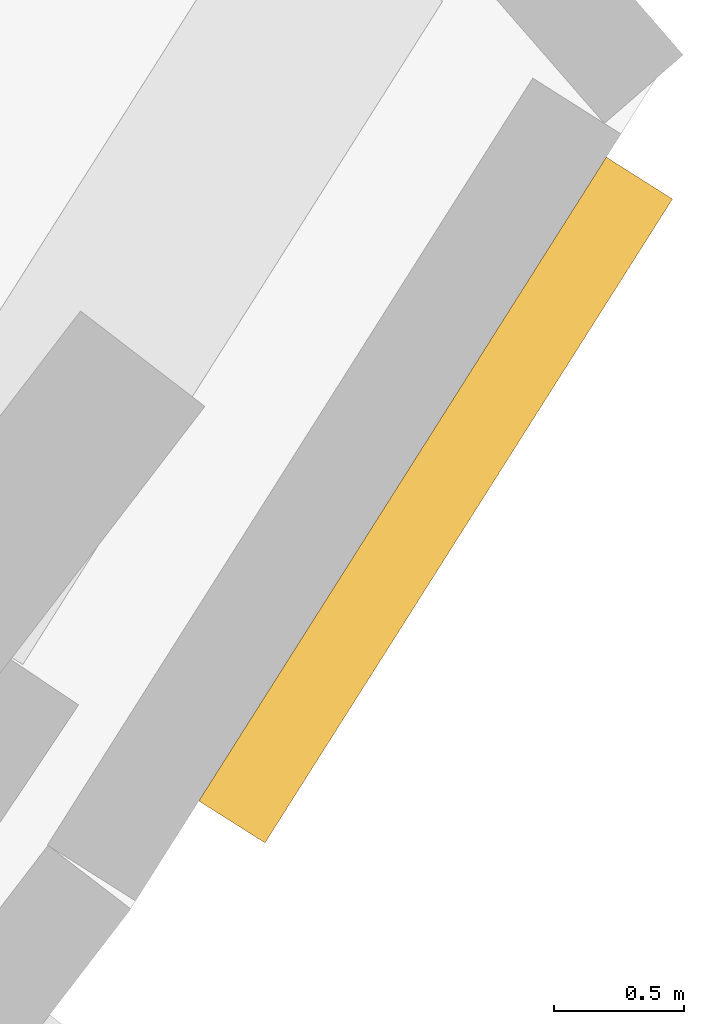
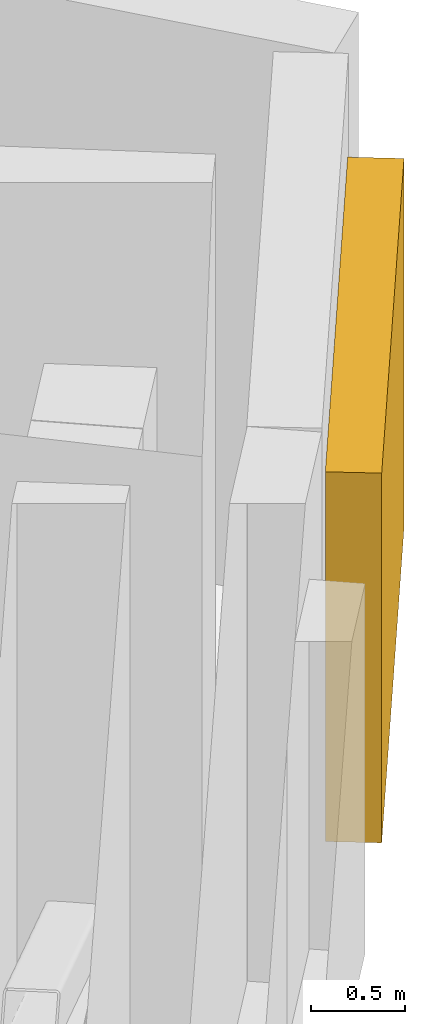
# One storey, part 24 of 24: 1 shading device.
"""IFC4 building model written with IfcOpenShell, lengths in metres."""

import ifcopenshell
import ifcopenshell.guid

model = None  # the IFC model being written
_history = None  # IfcOwnerHistory: only IFC2X3 demands one
_inside = {}  # id of a spatial element -> (the spatial element, [elements in it])
_under = {}  # id of a project, library or spatial element -> (it, [spatial elements below it])
_declared = {}  # id of a project -> (the project, [libraries it declares])
_typed = {}  # id of a type object -> (the type object, [elements of that type])
_made_of = {}  # id of a material, layer set ... -> (it, [elements and type objects made of it])


def new_model(schema):
    """Start an empty IFC model of exactly this schema.

    Asked for "IFC4X3", IfcOpenShell would pick the latest addendum, in which some entities
    have other attributes; the version numbers below select the first issue.
    IFC2X3 requires an IfcOwnerHistory on every rooted entity: one is made here for all.
    """
    global model, _history
    if schema == "IFC4X3":
        model = ifcopenshell.file(schema_version=(4, 3, 0, 0))
    else:
        model = ifcopenshell.file(schema=schema)
    _inside.clear()
    _under.clear()
    _declared.clear()
    _typed.clear()
    _made_of.clear()
    _history = None
    if model.schema == "IFC2X3":
        org = make("IfcOrganization", Name="unknown")
        user = make(
            "IfcPersonAndOrganization",
            ThePerson=make("IfcPerson", FamilyName="unknown"),
            TheOrganization=org,
        )
        app = make(
            "IfcApplication",
            ApplicationDeveloper=org,
            Version="unknown",
            ApplicationFullName="unknown",
            ApplicationIdentifier="unknown",
        )
        _history = make(
            "IfcOwnerHistory",
            OwningUser=user,
            OwningApplication=app,
            ChangeAction="ADDED",
            CreationDate=0,
        )
    return model


def make(cls, **values):
    """One entity of the class cls with the attributes given. An attribute that is None is left unset."""
    return model.create_entity(
        cls, **{name: value for name, value in values.items() if value is not None}
    )


def rooted(cls, **values):
    """An entity with a GlobalId (a new one), such as an element, a storey or a relation."""
    return make(cls, GlobalId=ifcopenshell.guid.new(), OwnerHistory=_history, **values)


def si_unit(unit_type, name, prefix=None):
    """IfcSIUnit, for example si_unit("LENGTHUNIT", "METRE", prefix="MILLI")."""
    return make("IfcSIUnit", UnitType=unit_type, Prefix=prefix, Name=name)


def assignment(units):
    """IfcUnitAssignment: the units of a project."""
    return None if units is None else make("IfcUnitAssignment", Units=units)


def point(xyz):
    """IfcCartesianPoint."""
    return None if xyz is None else make("IfcCartesianPoint", Coordinates=xyz)


def direction(xyz):
    """IfcDirection."""
    return None if xyz is None else make("IfcDirection", DirectionRatios=xyz)


def frame(location, z_axis=None, x_axis=None):
    """IfcAxis2Placement3D, a coordinate frame: its origin and axes. An axis left out is left unset."""
    return make(
        "IfcAxis2Placement3D",
        Location=point(location),
        Axis=direction(z_axis),
        RefDirection=direction(x_axis),
    )


def frame_2d(location, x_axis=None):
    """IfcAxis2Placement2D, a coordinate frame in the plane: its origin and x axis."""
    return make(
        "IfcAxis2Placement2D", Location=point(location), RefDirection=direction(x_axis)
    )


def origin():
    """The frame at (0, 0, 0) with its axes left unset."""
    return frame((0.0, 0.0, 0.0))


def origin_2d():
    """The frame at (0, 0) in the plane with its x axis left unset."""
    return frame_2d((0.0, 0.0))


def place(relative_to, where):
    """IfcLocalPlacement: puts the frame where relative to a parent placement (None: the world)."""
    return make(
        "IfcLocalPlacement", PlacementRelTo=relative_to, RelativePlacement=where
    )


def context(
    kind, dimensions, precision=None, world=None, true_north=None, identifier=None
):
    """IfcGeometricRepresentationContext, for example the 3D "Model" context."""
    return make(
        "IfcGeometricRepresentationContext",
        ContextIdentifier=identifier,
        ContextType=kind,
        CoordinateSpaceDimension=dimensions,
        Precision=precision,
        WorldCoordinateSystem=world,
        TrueNorth=true_north,
    )


def subcontext(parent, identifier, kind, view, scale=None):
    """IfcGeometricRepresentationSubContext, for example "Body" below "Model"."""
    return make(
        "IfcGeometricRepresentationSubContext",
        ContextIdentifier=identifier,
        ContextType=kind,
        ParentContext=parent,
        TargetScale=scale,
        TargetView=view,
    )


def project(units=None, contexts=None):
    """IfcProject with its units and contexts."""
    return rooted(
        "IfcProject",
        Name="project",
        RepresentationContexts=contexts,
        UnitsInContext=assignment(units),
    )


def spatial(cls, under=None, at=None, **own):
    """A site, building, storey or space (cls), placed at a placement, below another one or the project."""
    s = rooted(cls, ObjectPlacement=at, **own)
    if under is not None:
        _under.setdefault(under.id(), (under, []))[1].append(s)
    return s


def profile(cls, at=None, kind="AREA", **sizes):
    """A parametric profile (cls). Its sizes go by their IFC names, for example OverallWidth=200.0."""
    return make(cls, ProfileType=kind, Position=at, **sizes)


def rectangle(**sizes):
    """IfcRectangleProfileDef."""
    return profile("IfcRectangleProfileDef", **sizes)


def extrude(swept, where, along, depth):
    """IfcExtrudedAreaSolid: the profile swept, set in the frame where, extruded along a direction by depth."""
    return make(
        "IfcExtrudedAreaSolid",
        SweptArea=swept,
        Position=where,
        ExtrudedDirection=direction(along),
        Depth=depth,
    )


def shape(context_of_items, identifier, shape_type, items):
    """IfcShapeRepresentation: the items that make up one representation, for example the "Body"."""
    return make(
        "IfcShapeRepresentation",
        ContextOfItems=context_of_items,
        RepresentationIdentifier=identifier,
        RepresentationType=shape_type,
        Items=items,
    )


def material(Name=None, Category=None):
    """IfcMaterial."""
    return make("IfcMaterial", Name=Name, Category=Category)


def made_of(thing, what):
    """Note that an element or type object is made of a material, layer set ...; save() writes the relation."""
    if what is not None:
        _made_of.setdefault(what.id(), (what, []))[1].append(thing)
    return thing


def type_object(cls, material=None, **own):
    """A type object (cls), such as IfcWallType, which elements share."""
    return made_of(rooted(cls, **own), material)


def element(
    cls,
    number,
    at=None,
    inside=None,
    cuts=None,
    type_object=None,
    material=None,
    context=None,
    identifier="Body",
    shape_type=None,
    held_by="IfcProductDefinitionShape",
    body=None,
    shapes=None,
    **own,
):
    """One element of the class cls, such as IfcWall. Its Tag is "e" and its number.

    at: its placement. inside: the storey or other place that contains it. cuts: it is an
    opening in that element (IfcRelVoidsElement). A single representation is given by context,
    identifier, shape_type and body (its items); several are given by shapes. held_by: the class
    of the entity that holds the representations. save() writes the other relations.
    """
    e = rooted(cls, Tag="e%d" % number, ObjectPlacement=at, **own)
    if body is not None:
        shapes = [shape(context, identifier, shape_type, body)]
    if shapes is not None:
        e.Representation = make(held_by, Representations=shapes)
    if inside is not None:
        _inside.setdefault(inside.id(), (inside, []))[1].append(e)
    if cuts is not None:
        rooted(
            "IfcRelVoidsElement", RelatingBuildingElement=cuts, RelatedOpeningElement=e
        )
    if type_object is not None:
        _typed.setdefault(type_object.id(), (type_object, []))[1].append(e)
    return made_of(e, material)


def aggregate(whole, parts):
    """IfcRelAggregates: a whole, such as a stair, and the parts it consists of."""
    return rooted("IfcRelAggregates", RelatingObject=whole, RelatedObjects=parts)


def save(model, path):
    """Write the relations noted so far, then the file.

    IfcRelAggregates (storeys below a building ...), IfcRelContainedInSpatialStructure (elements
    in a storey), IfcRelDefinesByType, IfcRelAssociatesMaterial and IfcRelDeclares: one each for
    every whole, place, type object, material and project.
    """
    for whole, parts in _under.values():
        aggregate(whole, parts)
    for where, things in _inside.values():
        rooted(
            "IfcRelContainedInSpatialStructure",
            RelatedElements=things,
            RelatingStructure=where,
        )
    for kind, things in _typed.values():
        rooted("IfcRelDefinesByType", RelatedObjects=things, RelatingType=kind)
    for what, things in _made_of.values():
        rooted("IfcRelAssociatesMaterial", RelatedObjects=things, RelatingMaterial=what)
    for by, libraries in _declared.values():
        rooted("IfcRelDeclares", RelatingContext=by, RelatedDefinitions=libraries)
    model.write(path)


model = new_model("IFC4")

# Units and contexts
model_context = context("Model", 3, precision=1e-05, world=origin(), true_north=direction((0.0, 1.0)))
body_context = subcontext(model_context, "Body", "Model", "MODEL_VIEW")
ifc_project = project(units=[si_unit("LENGTHUNIT", "METRE"), si_unit("AREAUNIT", "SQUARE_METRE"), si_unit("VOLUMEUNIT", "CUBIC_METRE"), si_unit("PLANEANGLEUNIT", "RADIAN"), si_unit("MASSUNIT", "GRAM", prefix="KILO")], contexts=[model_context])

# Site, building, storey
site_placement = place(None, origin())
site = spatial("IfcSite", under=ifc_project, at=site_placement, CompositionType="ELEMENT")
building_placement = place(site_placement, origin())
building = spatial("IfcBuilding", under=site, at=building_placement, Name="Qamariyya Broadcast Tower", CompositionType="ELEMENT")
storey_placement = place(building_placement, frame((0.0, 0.0, 198.699951171875)))
storey = spatial("IfcBuildingStorey", under=building, at=storey_placement, Name="L47", CompositionType="ELEMENT", Elevation=198.699951171875)

# Shading device
ifc_material = material(Name="Glazed terracotta", Category="masonry")
shading_device_type = type_object("IfcShadingDeviceType", Name="Terracotta louvre bank", PredefinedType="USERDEFINED", material=ifc_material)
shading_device_placement = place(storey_placement, frame((66.86083984375, -42.314208984375, 0.60009765625), z_axis=(0.0, 0.0, 1.0), x_axis=(0.534772432038, 0.844996121845, 0.0)))
element("IfcShadingDevice", 1, at=shading_device_placement, inside=storey, type_object=shading_device_type, Name="e-lv-L47-15", ObjectType="LOUVRE", PredefinedType="USERDEFINED", context=body_context, shape_type="SweptSolid", body=[
    extrude(rectangle(XDim=2.919677734375, YDim=0.300048828125, at=origin_2d()), origin(), (0.0, 0.0, 1.0), 2.39990234375),
])

save(model, "model.ifc")
